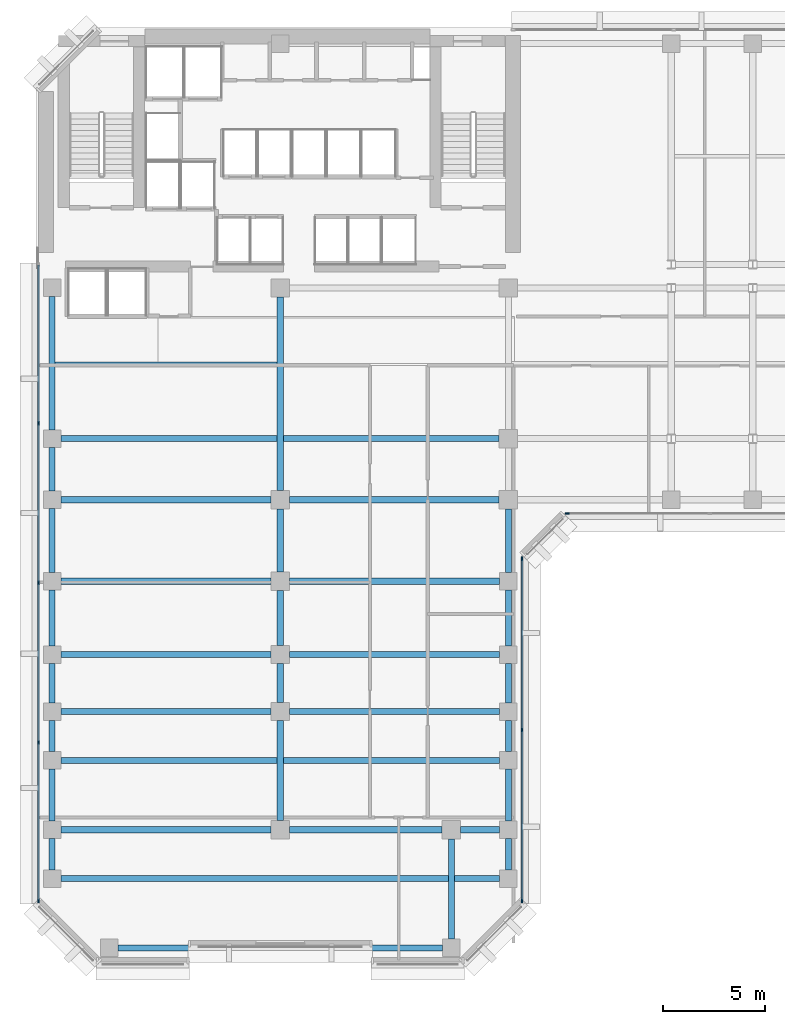
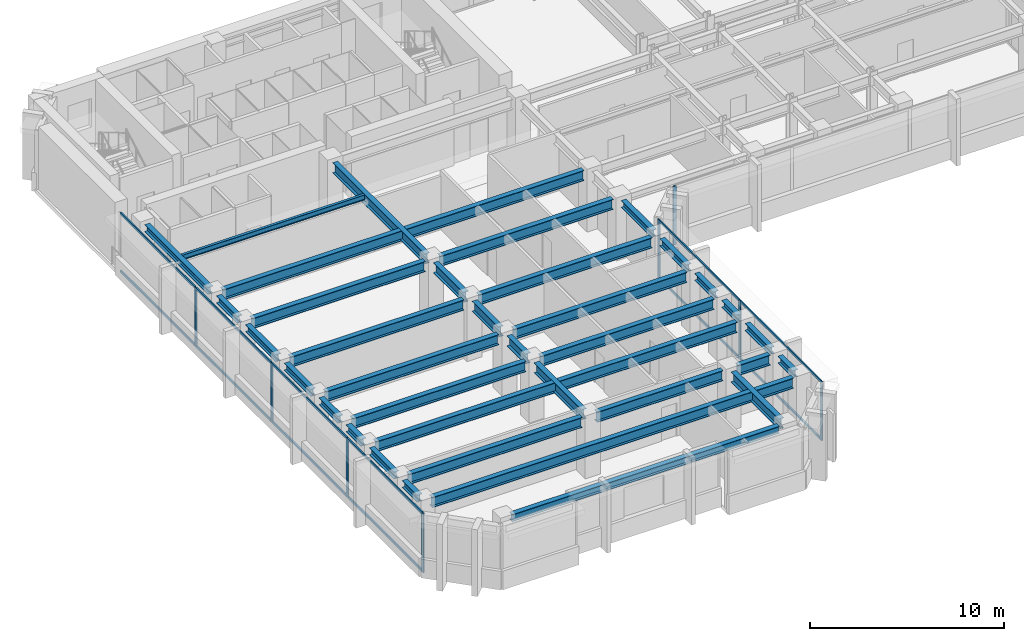
# One storey, part 2 of 12: 36 beams, 20 members, 3 elements without a shape of their own.
"""IFC4 building model written with IfcOpenShell, lengths in metres."""

from ifc_helpers import new_model, si_unit, direction, frame, origin, origin_2d, place, context, subcontext, project, spatial, rectangle, i_section, extrude, material, layer, layer_set, material_profile, profile_set, type_object, element, aggregate, save


model = new_model("IFC4")

# Units and contexts
model_context = context("Model", 3, precision=1e-05, world=origin(), true_north=direction((0.0, 1.0)))
body_context = subcontext(model_context, "Body", "Model", "MODEL_VIEW")
ifc_project = project(units=[si_unit("LENGTHUNIT", "METRE"), si_unit("AREAUNIT", "SQUARE_METRE"), si_unit("VOLUMEUNIT", "CUBIC_METRE"), si_unit("PLANEANGLEUNIT", "RADIAN"), si_unit("MASSUNIT", "GRAM", prefix="KILO")], contexts=[model_context])

# Site, building, storey
site_placement = place(None, origin())
site = spatial("IfcSite", under=ifc_project, at=site_placement, CompositionType="ELEMENT")
building_placement = place(site_placement, origin())
building = spatial("IfcBuilding", under=site, at=building_placement, Name="Kefirva Bronze Tower", CompositionType="ELEMENT")
storey_placement = place(building_placement, frame((0.0, 0.0, 118.469970703125)))
storey = spatial("IfcBuildingStorey", under=building, at=storey_placement, Name="L28", CompositionType="ELEMENT", Elevation=118.469970703125)

# Curtain wall, members
ifc_material_1 = material(Name="Bronze anodised aluminium", Category="aluminium")
ifc_layer = layer(ifc_material_1, 0.199951171875, Name="Bronze anodised aluminium")
ifc_layer_set = layer_set([ifc_layer], Name="Bronze anodised aluminium")
curtain_wall_type = type_object("IfcCurtainWallType", Name="Unitised Bronze Ribbon Curtain Wall Zone 2", PredefinedType="USERDEFINED", material=ifc_layer_set)
curtain_wall_1_placement = place(storey_placement, origin())
curtain_wall_1 = element("IfcCurtainWall", 1, at=curtain_wall_1_placement, inside=storey, type_object=curtain_wall_type, Name="L28 Curtain Wall 1", ObjectType="UNITISED CURTAIN WALL", PredefinedType="USERDEFINED")
ifc_material_profile_1 = material_profile(ifc_material_1, rectangle(XDim=0.074951171875, YDim=0.179931640625, at=origin_2d()), Name="ALU 75x180")
ifc_profile_set_1 = profile_set([ifc_material_profile_1], Name="Bronze anodised aluminium")
member_type_1 = type_object("IfcMemberType", Name="Bronze Mullion 75x180", PredefinedType="MULLION", material=ifc_profile_set_1)
member_1_placement = place(storey_placement, frame((23.8798828125, 3.092529296875, 0.0), z_axis=(0.0, 0.0, 1.0), x_axis=(-1.0, 0.0, 0.0)))
member_1 = element("IfcMember", 2, at=member_1_placement, type_object=member_type_1, Name="CW-02 mullion 1", PredefinedType="MULLION", context=body_context, shape_type="SweptSolid", body=[
    extrude(rectangle(XDim=0.074951171875, YDim=0.179931640625, at=origin_2d()), origin(), (0.0, 0.0, 1.0), 3.7099609375),
])
member_2_placement = place(storey_placement, frame((23.8798828125, 11.5, 0.0), z_axis=(0.0, 0.0, 1.0), x_axis=(-1.0, 0.0, 0.0)))
member_2 = element("IfcMember", 3, at=member_2_placement, type_object=member_type_1, Name="CW-02 mullion 2", PredefinedType="MULLION", context=body_context, shape_type="SweptSolid", body=[
    extrude(rectangle(XDim=0.074951171875, YDim=0.179931640625, at=origin_2d()), origin(), (0.0, 0.0, 1.0), 3.7099609375),
])
member_3_placement = place(storey_placement, frame((23.8798828125, 19.907470703125, 0.0), z_axis=(0.0, 0.0, 1.0), x_axis=(-1.0, 0.0, 0.0)))
member_3 = element("IfcMember", 4, at=member_3_placement, type_object=member_type_1, Name="CW-02 mullion 3", PredefinedType="MULLION", context=body_context, shape_type="SweptSolid", body=[
    extrude(rectangle(XDim=0.074951171875, YDim=0.179931640625, at=origin_2d()), origin(), (0.0, 0.0, 1.0), 3.7099609375),
])

# Curtain wall, member
curtain_wall_2_placement = place(storey_placement, origin())
curtain_wall_2 = element("IfcCurtainWall", 5, at=curtain_wall_2_placement, inside=storey, type_object=curtain_wall_type, Name="L28 Curtain Wall 2", ObjectType="UNITISED CURTAIN WALL", PredefinedType="USERDEFINED")
member_4_placement = place(storey_placement, frame((26.092529296875, 22.1201171875, 0.0), z_axis=(0.0, 0.0, 1.0), x_axis=(0.0, 1.0, 0.0)))
member_4 = element("IfcMember", 6, at=member_4_placement, type_object=member_type_1, Name="CW-02 mullion 1", PredefinedType="MULLION", context=body_context, shape_type="SweptSolid", body=[
    extrude(rectangle(XDim=0.074951171875, YDim=0.179931640625, at=origin_2d()), origin(), (0.0, 0.0, 1.0), 3.7099609375),
])
aggregate(curtain_wall_2, [member_4])

# Curtain wall, members
curtain_wall_3_placement = place(storey_placement, origin())
curtain_wall_3 = element("IfcCurtainWall", 7, at=curtain_wall_3_placement, inside=storey, type_object=curtain_wall_type, Name="L28 Curtain Wall 5", ObjectType="UNITISED CURTAIN WALL", PredefinedType="USERDEFINED")
member_5_placement = place(storey_placement, frame((0.1201171875, 26.56005859375, 0.0), z_axis=(0.0, 0.0, 1.0), x_axis=(1.0, 0.0, 0.0)))
member_5 = element("IfcMember", 8, at=member_5_placement, type_object=member_type_1, Name="CW-02 mullion 2", PredefinedType="MULLION", context=body_context, shape_type="SweptSolid", body=[
    extrude(rectangle(XDim=0.074951171875, YDim=0.179931640625, at=origin_2d()), origin(), (0.0, 0.0, 1.0), 3.7099609375),
])
member_6_placement = place(storey_placement, frame((0.1201171875, 18.72509765625, 0.0), z_axis=(0.0, 0.0, 1.0), x_axis=(1.0, 0.0, 0.0)))
member_6 = element("IfcMember", 9, at=member_6_placement, type_object=member_type_1, Name="CW-02 mullion 3", PredefinedType="MULLION", context=body_context, shape_type="SweptSolid", body=[
    extrude(rectangle(XDim=0.074951171875, YDim=0.179931640625, at=origin_2d()), origin(), (0.0, 0.0, 1.0), 3.7099609375),
])
member_7_placement = place(storey_placement, frame((0.1201171875, 10.889892578125, 0.0), z_axis=(0.0, 0.0, 1.0), x_axis=(1.0, 0.0, 0.0)))
member_7 = element("IfcMember", 10, at=member_7_placement, type_object=member_type_1, Name="CW-02 mullion 4", PredefinedType="MULLION", context=body_context, shape_type="SweptSolid", body=[
    extrude(rectangle(XDim=0.074951171875, YDim=0.179931640625, at=origin_2d()), origin(), (0.0, 0.0, 1.0), 3.7099609375),
])
member_8_placement = place(storey_placement, frame((0.1201171875, 3.092529296875, 0.0), z_axis=(0.0, 0.0, 1.0), x_axis=(1.0, 0.0, 0.0)))
member_8 = element("IfcMember", 11, at=member_8_placement, type_object=member_type_1, Name="CW-02 mullion 5", PredefinedType="MULLION", context=body_context, shape_type="SweptSolid", body=[
    extrude(rectangle(XDim=0.074951171875, YDim=0.179931640625, at=origin_2d()), origin(), (0.0, 0.0, 1.0), 3.7099609375),
])

# Member
ifc_material_profile_2 = material_profile(ifc_material_1, rectangle(XDim=0.074951171875, YDim=0.14990234375, at=origin_2d()), Name="ALU 75x150")
ifc_profile_set_2 = profile_set([ifc_material_profile_2], Name="Bronze anodised aluminium")
member_type_2 = type_object("IfcMemberType", Name="Bronze Transom 75x150", PredefinedType="USERDEFINED", material=ifc_profile_set_2)
member_9_placement = place(storey_placement, frame((23.8798828125, 3.1298828125, 0.03759765625), z_axis=(0.0, 1.0, 0.0), x_axis=(-1.0, 0.0, 0.0)))
member_9 = element("IfcMember", 12, at=member_9_placement, type_object=member_type_2, Name="CW-02 transom 1.1", ObjectType="TRANSOM", PredefinedType="USERDEFINED", context=body_context, shape_type="SweptSolid", body=[
    extrude(rectangle(XDim=0.074951171875, YDim=0.14990234375, at=origin_2d()), origin(), (0.0, 0.0, 1.0), 8.33251953125),
])

member_10_placement = place(storey_placement, frame((23.8798828125, 3.1298828125, 3.672607421875), z_axis=(0.0, 1.0, 0.0), x_axis=(-1.0, 0.0, 0.0)))
member_10 = element("IfcMember", 13, at=member_10_placement, type_object=member_type_2, Name="CW-02 transom 1.2", ObjectType="TRANSOM", PredefinedType="USERDEFINED", context=body_context, shape_type="SweptSolid", body=[
    extrude(rectangle(XDim=0.074951171875, YDim=0.14990234375, at=origin_2d()), origin(), (0.0, 0.0, 1.0), 8.33251953125),
])

member_11_placement = place(storey_placement, frame((23.8798828125, 11.53759765625, 0.03759765625), z_axis=(0.0, 1.0, 0.0), x_axis=(-1.0, 0.0, 0.0)))
member_11 = element("IfcMember", 14, at=member_11_placement, type_object=member_type_2, Name="CW-02 transom 2.1", ObjectType="TRANSOM", PredefinedType="USERDEFINED", context=body_context, shape_type="SweptSolid", body=[
    extrude(rectangle(XDim=0.074951171875, YDim=0.14990234375, at=origin_2d()), origin(), (0.0, 0.0, 1.0), 8.33251953125),
])

member_12_placement = place(storey_placement, frame((23.8798828125, 11.53759765625, 3.672607421875), z_axis=(0.0, 1.0, 0.0), x_axis=(-1.0, 0.0, 0.0)))
member_12 = element("IfcMember", 15, at=member_12_placement, type_object=member_type_2, Name="CW-02 transom 2.2", ObjectType="TRANSOM", PredefinedType="USERDEFINED", context=body_context, shape_type="SweptSolid", body=[
    extrude(rectangle(XDim=0.074951171875, YDim=0.14990234375, at=origin_2d()), origin(), (0.0, 0.0, 1.0), 8.33251953125),
])

aggregate(curtain_wall_1, [member_1, member_2, member_3, member_9, member_10, member_11, member_12])

member_13_placement = place(storey_placement, frame((0.1201171875, 34.320068359375, 0.03759765625), z_axis=(0.0, -1.0, 0.0), x_axis=(1.0, 0.0, 0.0)))
member_13 = element("IfcMember", 16, at=member_13_placement, type_object=member_type_2, Name="CW-02 transom 1.1", ObjectType="TRANSOM", PredefinedType="USERDEFINED", context=body_context, shape_type="SweptSolid", body=[
    extrude(rectangle(XDim=0.074951171875, YDim=0.14990234375, at=origin_2d()), origin(), (0.0, 0.0, 1.0), 7.72265625),
])

member_14_placement = place(storey_placement, frame((0.1201171875, 34.320068359375, 3.672607421875), z_axis=(0.0, -1.0, 0.0), x_axis=(1.0, 0.0, 0.0)))
member_14 = element("IfcMember", 17, at=member_14_placement, type_object=member_type_2, Name="CW-02 transom 1.2", ObjectType="TRANSOM", PredefinedType="USERDEFINED", context=body_context, shape_type="SweptSolid", body=[
    extrude(rectangle(XDim=0.074951171875, YDim=0.14990234375, at=origin_2d()), origin(), (0.0, 0.0, 1.0), 7.72265625),
])

member_15_placement = place(storey_placement, frame((0.1201171875, 26.5224609375, 0.03759765625), z_axis=(0.0, -1.0, 0.0), x_axis=(1.0, 0.0, 0.0)))
member_15 = element("IfcMember", 18, at=member_15_placement, type_object=member_type_2, Name="CW-02 transom 2.1", ObjectType="TRANSOM", PredefinedType="USERDEFINED", context=body_context, shape_type="SweptSolid", body=[
    extrude(rectangle(XDim=0.074951171875, YDim=0.14990234375, at=origin_2d()), origin(), (0.0, 0.0, 1.0), 7.760009765625),
])

member_16_placement = place(storey_placement, frame((0.1201171875, 26.5224609375, 3.672607421875), z_axis=(0.0, -1.0, 0.0), x_axis=(1.0, 0.0, 0.0)))
member_16 = element("IfcMember", 19, at=member_16_placement, type_object=member_type_2, Name="CW-02 transom 2.2", ObjectType="TRANSOM", PredefinedType="USERDEFINED", context=body_context, shape_type="SweptSolid", body=[
    extrude(rectangle(XDim=0.074951171875, YDim=0.14990234375, at=origin_2d()), origin(), (0.0, 0.0, 1.0), 7.760009765625),
])

member_17_placement = place(storey_placement, frame((0.1201171875, 18.6875, 0.03759765625), z_axis=(0.0, -1.0, 0.0), x_axis=(1.0, 0.0, 0.0)))
member_17 = element("IfcMember", 20, at=member_17_placement, type_object=member_type_2, Name="CW-02 transom 3.1", ObjectType="TRANSOM", PredefinedType="USERDEFINED", context=body_context, shape_type="SweptSolid", body=[
    extrude(rectangle(XDim=0.074951171875, YDim=0.14990234375, at=origin_2d()), origin(), (0.0, 0.0, 1.0), 7.760009765625),
])

member_18_placement = place(storey_placement, frame((0.1201171875, 18.6875, 3.672607421875), z_axis=(0.0, -1.0, 0.0), x_axis=(1.0, 0.0, 0.0)))
member_18 = element("IfcMember", 21, at=member_18_placement, type_object=member_type_2, Name="CW-02 transom 3.2", ObjectType="TRANSOM", PredefinedType="USERDEFINED", context=body_context, shape_type="SweptSolid", body=[
    extrude(rectangle(XDim=0.074951171875, YDim=0.14990234375, at=origin_2d()), origin(), (0.0, 0.0, 1.0), 7.760009765625),
])

member_19_placement = place(storey_placement, frame((0.1201171875, 10.8525390625, 0.03759765625), z_axis=(0.0, -1.0, 0.0), x_axis=(1.0, 0.0, 0.0)))
member_19 = element("IfcMember", 22, at=member_19_placement, type_object=member_type_2, Name="CW-02 transom 4.1", ObjectType="TRANSOM", PredefinedType="USERDEFINED", context=body_context, shape_type="SweptSolid", body=[
    extrude(rectangle(XDim=0.074951171875, YDim=0.14990234375, at=origin_2d()), origin(), (0.0, 0.0, 1.0), 7.72265625),
])

member_20_placement = place(storey_placement, frame((0.1201171875, 10.8525390625, 3.672607421875), z_axis=(0.0, -1.0, 0.0), x_axis=(1.0, 0.0, 0.0)))
member_20 = element("IfcMember", 23, at=member_20_placement, type_object=member_type_2, Name="CW-02 transom 4.2", ObjectType="TRANSOM", PredefinedType="USERDEFINED", context=body_context, shape_type="SweptSolid", body=[
    extrude(rectangle(XDim=0.074951171875, YDim=0.14990234375, at=origin_2d()), origin(), (0.0, 0.0, 1.0), 7.72265625),
])

aggregate(curtain_wall_3, [member_5, member_6, member_7, member_8, member_13, member_14, member_15, member_16, member_17, member_18, member_19, member_20])

# Beams
ifc_material_2 = material(Name="Steel S355", Category="steel")
ifc_material_profile_3 = material_profile(ifc_material_2, i_section(OverallWidth=0.159912109375, OverallDepth=0.330078125, WebThickness=0.007568359375, FlangeThickness=0.011474609375, at=origin_2d()), Name="IPE 330")
ifc_profile_set_3 = profile_set([ifc_material_profile_3], Name="Steel S355")
beam_type_1 = type_object("IfcBeamType", Name="Steel Floor Joist IPE 330", PredefinedType="JOIST", material=ifc_profile_set_3)
beam_1_placement = place(storey_placement, frame((0.949951171875, 29.489990234375, 3.544921875), z_axis=(1.0, 0.0, 0.0), x_axis=(0.0, 1.0, 0.0)))
element("IfcBeam", 24, at=beam_1_placement, inside=storey, type_object=beam_type_1, Name="L28 JST-L28-0-294", PredefinedType="JOIST", context=body_context, shape_type="SweptSolid", body=[
    extrude(i_section(OverallWidth=0.159912109375, OverallDepth=0.330078125, WebThickness=0.007568359375, FlangeThickness=0.011474609375, at=origin_2d()), origin(), (0.0, 0.0, 1.0), 10.900146484375),
])
ifc_material_profile_4 = material_profile(ifc_material_2, i_section(OverallWidth=0.300048828125, OverallDepth=0.64990234375, WebThickness=0.01611328125, FlangeThickness=0.031005859375, at=origin_2d()), Name="HEB 650")
ifc_profile_set_4 = profile_set([ifc_material_profile_4], Name="Steel S355")
beam_type_2 = type_object("IfcBeamType", Name="Steel Girder HEB 650", PredefinedType="USERDEFINED", material=ifc_profile_set_4)
beam_2_placement = place(storey_placement, frame((1.22998046875, 4.199951171875, 3.385009765625), z_axis=(1.0, 0.0, 0.0), x_axis=(0.0, 1.0, 0.0)))
element("IfcBeam", 25, at=beam_2_placement, inside=storey, type_object=beam_type_2, Name="L28 BM-L28-EW-0-42", ObjectType="GIRDER", PredefinedType="USERDEFINED", context=body_context, shape_type="SweptSolid", body=[
    extrude(i_section(OverallWidth=0.300048828125, OverallDepth=0.64990234375, WebThickness=0.01611328125, FlangeThickness=0.031005859375, at=origin_2d()), origin(), (0.0, 0.0, 1.0), 21.5400390625),
])
beam_3_placement = place(storey_placement, frame((1.22998046875, 6.60009765625, 3.385009765625), z_axis=(1.0, 0.0, 0.0), x_axis=(0.0, 1.0, 0.0)))
element("IfcBeam", 26, at=beam_3_placement, inside=storey, type_object=beam_type_2, Name="L28 BM-L28-EW-0-66", ObjectType="GIRDER", PredefinedType="USERDEFINED", context=body_context, shape_type="SweptSolid", body=[
    extrude(i_section(OverallWidth=0.300048828125, OverallDepth=0.64990234375, WebThickness=0.01611328125, FlangeThickness=0.031005859375, at=origin_2d()), origin(), (0.0, 0.0, 1.0), 10.320068359375),
])
beam_4_placement = place(storey_placement, frame((12.449951171875, 6.60009765625, 3.385009765625), z_axis=(1.0, 0.0, 0.0), x_axis=(0.0, 1.0, 0.0)))
element("IfcBeam", 27, at=beam_4_placement, inside=storey, type_object=beam_type_2, Name="L28 BM-L28-EW-12-66", ObjectType="GIRDER", PredefinedType="USERDEFINED", context=body_context, shape_type="SweptSolid", body=[
    extrude(i_section(OverallWidth=0.300048828125, OverallDepth=0.64990234375, WebThickness=0.01611328125, FlangeThickness=0.031005859375, at=origin_2d()), origin(), (0.0, 0.0, 1.0), 7.5),
])
beam_5_placement = place(storey_placement, frame((20.85009765625, 6.60009765625, 3.385009765625), z_axis=(1.0, 0.0, 0.0), x_axis=(0.0, 1.0, 0.0)))
element("IfcBeam", 28, at=beam_5_placement, inside=storey, type_object=beam_type_2, Name="L28 BM-L28-EW-20-66", ObjectType="GIRDER", PredefinedType="USERDEFINED", context=body_context, shape_type="SweptSolid", body=[
    extrude(i_section(OverallWidth=0.300048828125, OverallDepth=0.64990234375, WebThickness=0.01611328125, FlangeThickness=0.031005859375, at=origin_2d()), origin(), (0.0, 0.0, 1.0), 1.919921875),
])
beam_6_placement = place(storey_placement, frame((1.22998046875, 10.0, 3.385009765625), z_axis=(1.0, 0.0, 0.0), x_axis=(0.0, 1.0, 0.0)))
element("IfcBeam", 29, at=beam_6_placement, inside=storey, type_object=beam_type_2, Name="L28 BM-L28-EW-0-100", ObjectType="GIRDER", PredefinedType="USERDEFINED", context=body_context, shape_type="SweptSolid", body=[
    extrude(i_section(OverallWidth=0.300048828125, OverallDepth=0.64990234375, WebThickness=0.01611328125, FlangeThickness=0.031005859375, at=origin_2d()), origin(), (0.0, 0.0, 1.0), 21.5400390625),
])
for number, where, z_axis, x_axis, name in (
    (30, (1.22998046875, 12.39990234375, 3.385009765625), (1.0, 0.0, 0.0), (0.0, 1.0, 0.0), "L28 BM-L28-EW-0-124"),
    (31, (12.449951171875, 12.39990234375, 3.385009765625), (1.0, 0.0, 0.0), (0.0, 1.0, 0.0), "L28 BM-L28-EW-12-124"),
    (32, (1.22998046875, 15.199951171875, 3.385009765625), (1.0, 0.0, 0.0), (0.0, 1.0, 0.0), "L28 BM-L28-EW-0-152"),
    (33, (12.449951171875, 15.199951171875, 3.385009765625), (1.0, 0.0, 0.0), (0.0, 1.0, 0.0), "L28 BM-L28-EW-12-152"),
    (34, (1.22998046875, 18.800048828125, 3.385009765625), (1.0, 0.0, 0.0), (0.0, 1.0, 0.0), "L28 BM-L28-EW-0-188"),
    (35, (12.449951171875, 18.800048828125, 3.385009765625), (1.0, 0.0, 0.0), (0.0, 1.0, 0.0), "L28 BM-L28-EW-12-188"),
    (36, (1.22998046875, 22.800048828125, 3.385009765625), (1.0, 0.0, 0.0), (0.0, 1.0, 0.0), "L28 BM-L28-EW-0-228"),
):
    element("IfcBeam", number, at=place(storey_placement, frame(where, z_axis=z_axis, x_axis=x_axis)), inside=storey, type_object=beam_type_2, Name=name, ObjectType="GIRDER", PredefinedType="USERDEFINED", context=body_context, shape_type="SweptSolid", body=[
        extrude(i_section(OverallWidth=0.300048828125, OverallDepth=0.64990234375, WebThickness=0.01611328125, FlangeThickness=0.031005859375, at=origin_2d()), origin(), (0.0, 0.0, 1.0), 10.320068359375),
    ])
beam_7_placement = place(storey_placement, frame((12.449951171875, 22.800048828125, 3.385009765625), z_axis=(1.0, 0.0, 0.0), x_axis=(0.0, 1.0, 0.0)))
element("IfcBeam", 37, at=beam_7_placement, inside=storey, type_object=beam_type_2, Name="L28 BM-L28-EW-12-228", ObjectType="GIRDER", PredefinedType="USERDEFINED", context=body_context, shape_type="SweptSolid", body=[
    extrude(i_section(OverallWidth=0.300048828125, OverallDepth=0.64990234375, WebThickness=0.01611328125, FlangeThickness=0.031005859375, at=origin_2d()), origin(), (0.0, 0.0, 1.0), 10.300048828125),
])
beam_8_placement = place(storey_placement, frame((1.22998046875, 25.800048828125, 3.385009765625), z_axis=(1.0, 0.0, 0.0), x_axis=(0.0, 1.0, 0.0)))
element("IfcBeam", 38, at=beam_8_placement, inside=storey, type_object=beam_type_2, Name="L28 BM-L28-EW-0-258", ObjectType="GIRDER", PredefinedType="USERDEFINED", context=body_context, shape_type="SweptSolid", body=[
    extrude(i_section(OverallWidth=0.300048828125, OverallDepth=0.64990234375, WebThickness=0.01611328125, FlangeThickness=0.031005859375, at=origin_2d()), origin(), (0.0, 0.0, 1.0), 21.52001953125),
])
beam_9_placement = place(storey_placement, frame((12.0, 7.050048828125, 3.385009765625), z_axis=(0.0, 1.0, 0.0), x_axis=(-1.0, 0.0, 0.0)))
element("IfcBeam", 39, at=beam_9_placement, inside=storey, type_object=beam_type_2, Name="L28 BM-L28-NS-120-6", ObjectType="GIRDER", PredefinedType="USERDEFINED", context=body_context, shape_type="SweptSolid", body=[
    extrude(i_section(OverallWidth=0.300048828125, OverallDepth=0.64990234375, WebThickness=0.01611328125, FlangeThickness=0.031005859375, at=origin_2d()), origin(), (0.0, 0.0, 1.0), 4.89990234375),
])
beam_10_placement = place(storey_placement, frame((12.0, 12.85009765625, 3.385009765625), z_axis=(0.0, 1.0, 0.0), x_axis=(-1.0, 0.0, 0.0)))
element("IfcBeam", 40, at=beam_10_placement, inside=storey, type_object=beam_type_2, Name="L28 BM-L28-NS-120-12", ObjectType="GIRDER", PredefinedType="USERDEFINED", context=body_context, shape_type="SweptSolid", body=[
    extrude(i_section(OverallWidth=0.300048828125, OverallDepth=0.64990234375, WebThickness=0.01611328125, FlangeThickness=0.031005859375, at=origin_2d()), origin(), (0.0, 0.0, 1.0), 1.89990234375),
])
beam_11_placement = place(storey_placement, frame((12.0, 15.64990234375, 3.385009765625), z_axis=(0.0, 1.0, 0.0), x_axis=(-1.0, 0.0, 0.0)))
element("IfcBeam", 41, at=beam_11_placement, inside=storey, type_object=beam_type_2, Name="L28 BM-L28-NS-120-15", ObjectType="GIRDER", PredefinedType="USERDEFINED", context=body_context, shape_type="SweptSolid", body=[
    extrude(i_section(OverallWidth=0.300048828125, OverallDepth=0.64990234375, WebThickness=0.01611328125, FlangeThickness=0.031005859375, at=origin_2d()), origin(), (0.0, 0.0, 1.0), 2.7001953125),
])
beam_12_placement = place(storey_placement, frame((12.0, 19.25, 3.385009765625), z_axis=(0.0, 1.0, 0.0), x_axis=(-1.0, 0.0, 0.0)))
element("IfcBeam", 42, at=beam_12_placement, inside=storey, type_object=beam_type_2, Name="L28 BM-L28-NS-120-18", ObjectType="GIRDER", PredefinedType="USERDEFINED", context=body_context, shape_type="SweptSolid", body=[
    extrude(i_section(OverallWidth=0.300048828125, OverallDepth=0.64990234375, WebThickness=0.01611328125, FlangeThickness=0.031005859375, at=origin_2d()), origin(), (0.0, 0.0, 1.0), 3.10009765625),
])
beam_13_placement = place(storey_placement, frame((12.0, 23.25, 3.385009765625), z_axis=(0.0, 1.0, 0.0), x_axis=(-1.0, 0.0, 0.0)))
element("IfcBeam", 43, at=beam_13_placement, inside=storey, type_object=beam_type_2, Name="L28 BM-L28-NS-120-22", ObjectType="GIRDER", PredefinedType="USERDEFINED", context=body_context, shape_type="SweptSolid", body=[
    extrude(i_section(OverallWidth=0.300048828125, OverallDepth=0.64990234375, WebThickness=0.01611328125, FlangeThickness=0.031005859375, at=origin_2d()), origin(), (0.0, 0.0, 1.0), 9.5),
])
beam_14_placement = place(storey_placement, frame((20.39990234375, 1.22998046875, 3.385009765625), z_axis=(0.0, 1.0, 0.0), x_axis=(-1.0, 0.0, 0.0)))
element("IfcBeam", 44, at=beam_14_placement, inside=storey, type_object=beam_type_2, Name="L28 BM-L28-NS-204-0", ObjectType="GIRDER", PredefinedType="USERDEFINED", context=body_context, shape_type="SweptSolid", body=[
    extrude(i_section(OverallWidth=0.300048828125, OverallDepth=0.64990234375, WebThickness=0.01611328125, FlangeThickness=0.031005859375, at=origin_2d()), origin(), (0.0, 0.0, 1.0), 4.919921875),
])
ifc_material_profile_5 = material_profile(ifc_material_2, i_section(OverallWidth=0.300048828125, OverallDepth=0.449951171875, WebThickness=0.013916015625, FlangeThickness=0.02587890625, at=origin_2d()), Name="HEB 450")
ifc_profile_set_5 = profile_set([ifc_material_profile_5], Name="Steel S355")
beam_type_3 = type_object("IfcBeamType", Name="Steel Spandrel HEB 450 Ext", PredefinedType="SPANDREL", material=ifc_profile_set_5)
beam_15_placement = place(storey_placement, frame((4.030029296875, 0.800048828125, 3.485107421875), z_axis=(1.0, 0.0, 0.0), x_axis=(0.0, 1.0, 0.0)))
element("IfcBeam", 45, at=beam_15_placement, inside=storey, type_object=beam_type_3, Name="L28 BM-L28-EW-3-8", PredefinedType="SPANDREL", context=body_context, shape_type="SweptSolid", body=[
    extrude(i_section(OverallWidth=0.300048828125, OverallDepth=0.449951171875, WebThickness=0.013916015625, FlangeThickness=0.02587890625, at=origin_2d()), origin(), (0.0, 0.0, 1.0), 15.93994140625),
])
beam_16_placement = place(storey_placement, frame((0.800048828125, 4.6298828125, 3.485107421875), z_axis=(0.0, 1.0, 0.0), x_axis=(-1.0, 0.0, 0.0)))
element("IfcBeam", 46, at=beam_16_placement, inside=storey, type_object=beam_type_3, Name="L28 BM-L28-NS-8-4", PredefinedType="SPANDREL", context=body_context, shape_type="SweptSolid", body=[
    extrude(i_section(OverallWidth=0.300048828125, OverallDepth=0.449951171875, WebThickness=0.013916015625, FlangeThickness=0.02587890625, at=origin_2d()), origin(), (0.0, 0.0, 1.0), 1.5400390625),
])
beam_17_placement = place(storey_placement, frame((0.800048828125, 7.030029296875, 3.485107421875), z_axis=(0.0, 1.0, 0.0), x_axis=(-1.0, 0.0, 0.0)))
element("IfcBeam", 47, at=beam_17_placement, inside=storey, type_object=beam_type_3, Name="L28 BM-L28-NS-8-6", PredefinedType="SPANDREL", context=body_context, shape_type="SweptSolid", body=[
    extrude(i_section(OverallWidth=0.300048828125, OverallDepth=0.449951171875, WebThickness=0.013916015625, FlangeThickness=0.02587890625, at=origin_2d()), origin(), (0.0, 0.0, 1.0), 2.5400390625),
])
beam_18_placement = place(storey_placement, frame((0.800048828125, 10.429931640625, 3.485107421875), z_axis=(0.0, 1.0, 0.0), x_axis=(-1.0, 0.0, 0.0)))
element("IfcBeam", 48, at=beam_18_placement, inside=storey, type_object=beam_type_3, Name="L28 BM-L28-NS-8-10", PredefinedType="SPANDREL", context=body_context, shape_type="SweptSolid", body=[
    extrude(i_section(OverallWidth=0.300048828125, OverallDepth=0.449951171875, WebThickness=0.013916015625, FlangeThickness=0.02587890625, at=origin_2d()), origin(), (0.0, 0.0, 1.0), 1.5400390625),
])
beam_19_placement = place(storey_placement, frame((0.800048828125, 12.830078125, 3.485107421875), z_axis=(0.0, 1.0, 0.0), x_axis=(-1.0, 0.0, 0.0)))
element("IfcBeam", 49, at=beam_19_placement, inside=storey, type_object=beam_type_3, Name="L28 BM-L28-NS-8-12", PredefinedType="SPANDREL", context=body_context, shape_type="SweptSolid", body=[
    extrude(i_section(OverallWidth=0.300048828125, OverallDepth=0.449951171875, WebThickness=0.013916015625, FlangeThickness=0.02587890625, at=origin_2d()), origin(), (0.0, 0.0, 1.0), 1.93994140625),
])
beam_20_placement = place(storey_placement, frame((0.800048828125, 15.6298828125, 3.485107421875), z_axis=(0.0, 1.0, 0.0), x_axis=(-1.0, 0.0, 0.0)))
element("IfcBeam", 50, at=beam_20_placement, inside=storey, type_object=beam_type_3, Name="L28 BM-L28-NS-8-15", PredefinedType="SPANDREL", context=body_context, shape_type="SweptSolid", body=[
    extrude(i_section(OverallWidth=0.300048828125, OverallDepth=0.449951171875, WebThickness=0.013916015625, FlangeThickness=0.02587890625, at=origin_2d()), origin(), (0.0, 0.0, 1.0), 2.740234375),
])
beam_21_placement = place(storey_placement, frame((0.800048828125, 19.22998046875, 3.485107421875), z_axis=(0.0, 1.0, 0.0), x_axis=(-1.0, 0.0, 0.0)))
element("IfcBeam", 51, at=beam_21_placement, inside=storey, type_object=beam_type_3, Name="L28 BM-L28-NS-8-18", PredefinedType="SPANDREL", context=body_context, shape_type="SweptSolid", body=[
    extrude(i_section(OverallWidth=0.300048828125, OverallDepth=0.449951171875, WebThickness=0.013916015625, FlangeThickness=0.02587890625, at=origin_2d()), origin(), (0.0, 0.0, 1.0), 3.14013671875),
])
beam_22_placement = place(storey_placement, frame((0.800048828125, 23.22998046875, 3.485107421875), z_axis=(0.0, 1.0, 0.0), x_axis=(-1.0, 0.0, 0.0)))
element("IfcBeam", 52, at=beam_22_placement, inside=storey, type_object=beam_type_3, Name="L28 BM-L28-NS-8-22", PredefinedType="SPANDREL", context=body_context, shape_type="SweptSolid", body=[
    extrude(i_section(OverallWidth=0.300048828125, OverallDepth=0.449951171875, WebThickness=0.013916015625, FlangeThickness=0.02587890625, at=origin_2d()), origin(), (0.0, 0.0, 1.0), 2.14013671875),
])
beam_23_placement = place(storey_placement, frame((0.800048828125, 26.22998046875, 3.485107421875), z_axis=(0.0, 1.0, 0.0), x_axis=(-1.0, 0.0, 0.0)))
element("IfcBeam", 53, at=beam_23_placement, inside=storey, type_object=beam_type_3, Name="L28 BM-L28-NS-8-25", PredefinedType="SPANDREL", context=body_context, shape_type="SweptSolid", body=[
    extrude(i_section(OverallWidth=0.300048828125, OverallDepth=0.449951171875, WebThickness=0.013916015625, FlangeThickness=0.02587890625, at=origin_2d()), origin(), (0.0, 0.0, 1.0), 6.5400390625),
])
beam_24_placement = place(storey_placement, frame((23.199951171875, 4.6298828125, 3.485107421875), z_axis=(0.0, 1.0, 0.0), x_axis=(-1.0, 0.0, 0.0)))
element("IfcBeam", 54, at=beam_24_placement, inside=storey, type_object=beam_type_3, Name="L28 BM-L28-NS-232-4", PredefinedType="SPANDREL", context=body_context, shape_type="SweptSolid", body=[
    extrude(i_section(OverallWidth=0.300048828125, OverallDepth=0.449951171875, WebThickness=0.013916015625, FlangeThickness=0.02587890625, at=origin_2d()), origin(), (0.0, 0.0, 1.0), 1.5400390625),
])
beam_25_placement = place(storey_placement, frame((23.199951171875, 7.030029296875, 3.485107421875), z_axis=(0.0, 1.0, 0.0), x_axis=(-1.0, 0.0, 0.0)))
element("IfcBeam", 55, at=beam_25_placement, inside=storey, type_object=beam_type_3, Name="L28 BM-L28-NS-232-6", PredefinedType="SPANDREL", context=body_context, shape_type="SweptSolid", body=[
    extrude(i_section(OverallWidth=0.300048828125, OverallDepth=0.449951171875, WebThickness=0.013916015625, FlangeThickness=0.02587890625, at=origin_2d()), origin(), (0.0, 0.0, 1.0), 2.5400390625),
])
beam_26_placement = place(storey_placement, frame((23.199951171875, 10.429931640625, 3.485107421875), z_axis=(0.0, 1.0, 0.0), x_axis=(-1.0, 0.0, 0.0)))
element("IfcBeam", 56, at=beam_26_placement, inside=storey, type_object=beam_type_3, Name="L28 BM-L28-NS-232-10", PredefinedType="SPANDREL", context=body_context, shape_type="SweptSolid", body=[
    extrude(i_section(OverallWidth=0.300048828125, OverallDepth=0.449951171875, WebThickness=0.013916015625, FlangeThickness=0.02587890625, at=origin_2d()), origin(), (0.0, 0.0, 1.0), 1.5400390625),
])
beam_27_placement = place(storey_placement, frame((23.199951171875, 12.830078125, 3.485107421875), z_axis=(0.0, 1.0, 0.0), x_axis=(-1.0, 0.0, 0.0)))
element("IfcBeam", 57, at=beam_27_placement, inside=storey, type_object=beam_type_3, Name="L28 BM-L28-NS-232-12", PredefinedType="SPANDREL", context=body_context, shape_type="SweptSolid", body=[
    extrude(i_section(OverallWidth=0.300048828125, OverallDepth=0.449951171875, WebThickness=0.013916015625, FlangeThickness=0.02587890625, at=origin_2d()), origin(), (0.0, 0.0, 1.0), 1.93994140625),
])
beam_28_placement = place(storey_placement, frame((23.199951171875, 15.6298828125, 3.485107421875), z_axis=(0.0, 1.0, 0.0), x_axis=(-1.0, 0.0, 0.0)))
element("IfcBeam", 58, at=beam_28_placement, inside=storey, type_object=beam_type_3, Name="L28 BM-L28-NS-232-15", PredefinedType="SPANDREL", context=body_context, shape_type="SweptSolid", body=[
    extrude(i_section(OverallWidth=0.300048828125, OverallDepth=0.449951171875, WebThickness=0.013916015625, FlangeThickness=0.02587890625, at=origin_2d()), origin(), (0.0, 0.0, 1.0), 2.740234375),
])
beam_29_placement = place(storey_placement, frame((23.199951171875, 19.22998046875, 3.485107421875), z_axis=(0.0, 1.0, 0.0), x_axis=(-1.0, 0.0, 0.0)))
element("IfcBeam", 59, at=beam_29_placement, inside=storey, type_object=beam_type_3, Name="L28 BM-L28-NS-232-18", PredefinedType="SPANDREL", context=body_context, shape_type="SweptSolid", body=[
    extrude(i_section(OverallWidth=0.300048828125, OverallDepth=0.449951171875, WebThickness=0.013916015625, FlangeThickness=0.02587890625, at=origin_2d()), origin(), (0.0, 0.0, 1.0), 3.1201171875),
])

save(model, "model.ifc")
